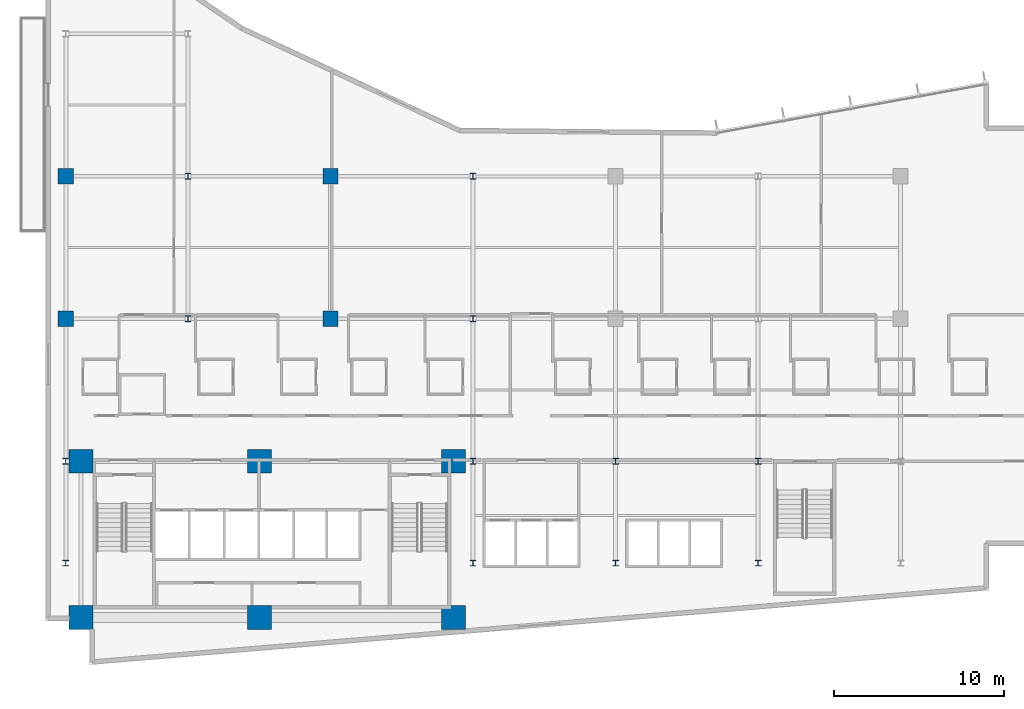
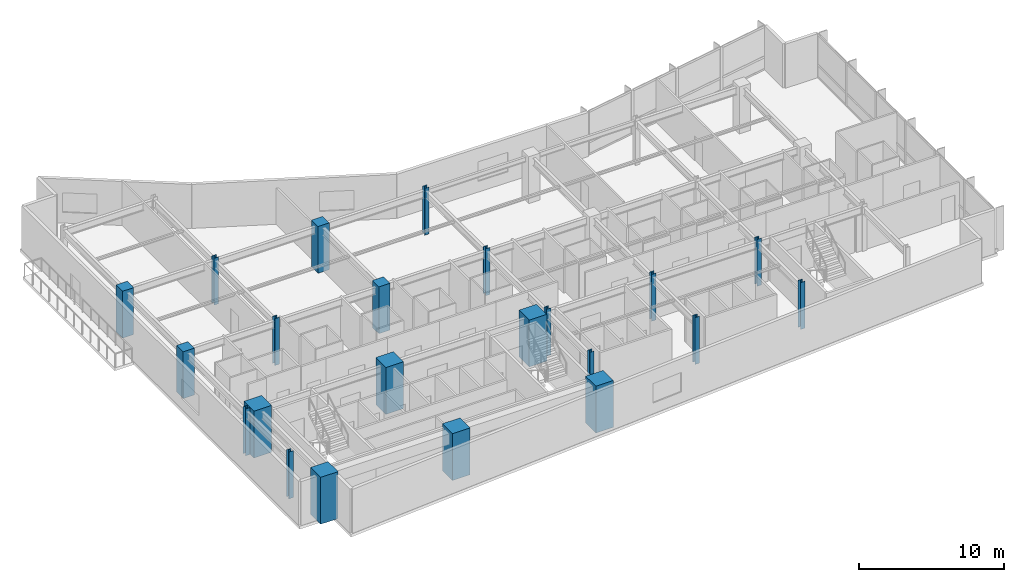
# One storey, part 1 of 21: 22 columns.
"""IFC4 building model written with IfcOpenShell, lengths in metres."""

from ifc_helpers import new_model, si_unit, direction, frame, origin, origin_2d, place, context, subcontext, project, spatial, rectangle, i_section, extrude, material, material_profile, profile_set, type_object, element, save


model = new_model("IFC4")

# Units and contexts
model_context = context("Model", 3, precision=1e-05, world=origin(), true_north=direction((0.0, 1.0)))
body_context = subcontext(model_context, "Body", "Model", "MODEL_VIEW")
ifc_project = project(units=[si_unit("LENGTHUNIT", "METRE"), si_unit("AREAUNIT", "SQUARE_METRE"), si_unit("VOLUMEUNIT", "CUBIC_METRE"), si_unit("PLANEANGLEUNIT", "RADIAN"), si_unit("MASSUNIT", "GRAM", prefix="KILO")], contexts=[model_context])

# Site, building, storey
site_placement = place(None, origin())
site = spatial("IfcSite", under=ifc_project, at=site_placement, CompositionType="ELEMENT")
building_placement = place(site_placement, origin())
building = spatial("IfcBuilding", under=site, at=building_placement, Name="Varnakote Quay Hospital", CompositionType="ELEMENT")
storey_placement = place(building_placement, frame((0.0, 0.0, 34.35009765625)))
storey = spatial("IfcBuildingStorey", under=building, at=storey_placement, Name="L08", CompositionType="ELEMENT", Elevation=34.35009765625)

# Columns
ifc_material_1 = material(Name="Concrete N80 (f'c 80 MPa)", Category="concrete")
ifc_material_profile_1 = material_profile(ifc_material_1, rectangle(XDim=1.39990234375, YDim=1.39990234375, at=origin_2d()), Name="RC-COL-1400x1400")
ifc_profile_set_1 = profile_set([ifc_material_profile_1], Name="Concrete N80 (f'c 80 MPa)")
column_type_1 = type_object("IfcColumnType", Name="COL-RC-1400", PredefinedType="COLUMN", material=ifc_profile_set_1)
for number, where, z_axis, x_axis, name in (
    (1, (2.10009765625, 2.800048828125, 0.0), (0.0, 0.0, 1.0), (1.0, 0.0, 0.0), "L08 Structural Column C-2-3"),
    (2, (12.6201171875, 2.800048828125, 0.0), (0.0, 0.0, 1.0), (1.0, 0.0, 0.0), "L08 Structural Column C-13-3"),
    (3, (24.050048828125, 2.800048828125, 0.0), (0.0, 0.0, 1.0), (1.0, 0.0, 0.0), "L08 Structural Column C-24-3"),
    (4, (2.10009765625, 12.0, 0.0), (0.0, 0.0, 1.0), (1.0, 0.0, 0.0), "L08 Structural Column C-2-12"),
    (5, (12.6201171875, 12.0, 0.0), (0.0, 0.0, 1.0), (1.0, 0.0, 0.0), "L08 Structural Column C-13-12"),
    (6, (24.050048828125, 12.0, 0.0), (0.0, 0.0, 1.0), (1.0, 0.0, 0.0), "L08 Structural Column C-24-12"),
):
    element("IfcColumn", number, at=place(storey_placement, frame(where, z_axis=z_axis, x_axis=x_axis)), inside=storey, type_object=column_type_1, Name=name, PredefinedType="COLUMN", context=body_context, shape_type="SweptSolid", body=[
        extrude(rectangle(XDim=1.39990234375, YDim=1.39990234375, at=origin_2d()), origin(), (0.0, 0.0, 1.0), 3.949951171875),
    ])
ifc_material_2 = material(Name="Concrete N50 (f'c 50 MPa)", Category="concrete")
ifc_material_profile_2 = material_profile(ifc_material_2, rectangle(XDim=0.89990234375, YDim=0.89990234375, at=origin_2d()), Name="RC-COL-900x900")
ifc_profile_set_2 = profile_set([ifc_material_profile_2], Name="Concrete N50 (f'c 50 MPa)")
column_type_2 = type_object("IfcColumnType", Name="COL-RC-900", PredefinedType="COLUMN", material=ifc_profile_set_2)
for number, where, z_axis, x_axis, name in (
    (7, (1.199951171875, 20.39990234375, 0.0), (0.0, 0.0, 1.0), (1.0, 0.0, 0.0), "L08 Structural Column C-1-20"),
    (8, (16.800048828125, 20.39990234375, 0.0), (0.0, 0.0, 1.0), (1.0, 0.0, 0.0), "L08 Structural Column C-17-20"),
    (9, (1.199951171875, 28.800048828125, 0.0), (0.0, 0.0, 1.0), (1.0, 0.0, 0.0), "L08 Structural Column C-1-29"),
    (10, (16.800048828125, 28.800048828125, 0.0), (0.0, 0.0, 1.0), (1.0, 0.0, 0.0), "L08 Structural Column C-17-29"),
):
    element("IfcColumn", number, at=place(storey_placement, frame(where, z_axis=z_axis, x_axis=x_axis)), inside=storey, type_object=column_type_2, Name=name, PredefinedType="COLUMN", context=body_context, shape_type="SweptSolid", body=[
        extrude(rectangle(XDim=0.89990234375, YDim=0.89990234375, at=origin_2d()), origin(), (0.0, 0.0, 1.0), 3.949951171875),
    ])
ifc_material_3 = material(Name="Structural steel AS/NZS 3678 Grade 350 (fy 340 MPa)", Category="steel")
ifc_material_profile_3 = material_profile(ifc_material_3, i_section(OverallWidth=0.35009765625, OverallDepth=0.340087890625, WebThickness=0.01611328125, FlangeThickness=0.028076171875, at=origin_2d()), Name="350WC197")
ifc_profile_set_3 = profile_set([ifc_material_profile_3], Name="Structural steel AS/NZS 3678 Grade 350 (fy 340 MPa)")
column_type_3 = type_object("IfcColumnType", Name="COL-STL-350WC197", PredefinedType="COLUMN", material=ifc_profile_set_3)
for number, where, z_axis, x_axis, name in (
    (11, (1.199951171875, 6.0, 0.0), (0.0, 0.0, 1.0), (1.0, 0.0, 0.0), "L08 Structural Column C-1-6"),
    (12, (25.199951171875, 6.0, 0.0), (0.0, 0.0, 1.0), (1.0, 0.0, 0.0), "L08 Structural Column C-25-6"),
    (13, (33.60009765625, 6.0, 0.0), (0.0, 0.0, 1.0), (1.0, 0.0, 0.0), "L08 Structural Column C-34-6"),
    (14, (42.0, 6.0, 0.0), (0.0, 0.0, 1.0), (1.0, 0.0, 0.0), "L08 Structural Column C-42-6"),
    (15, (1.199951171875, 12.0, 0.0), (0.0, 0.0, 1.0), (1.0, 0.0, 0.0), "L08 Structural Column C-1-12"),
    (16, (25.199951171875, 12.0, 0.0), (0.0, 0.0, 1.0), (1.0, 0.0, 0.0), "L08 Structural Column C-25-12"),
    (17, (33.60009765625, 12.0, 0.0), (0.0, 0.0, 1.0), (1.0, 0.0, 0.0), "L08 Structural Column C-34-12"),
    (18, (42.0, 12.0, 0.0), (0.0, 0.0, 1.0), (1.0, 0.0, 0.0), "L08 Structural Column C-42-12"),
    (19, (8.39990234375, 20.39990234375, 0.0), (0.0, 0.0, 1.0), (1.0, 0.0, 0.0), "L08 Structural Column C-8-20"),
    (20, (25.199951171875, 20.39990234375, 0.0), (0.0, 0.0, 1.0), (1.0, 0.0, 0.0), "L08 Structural Column C-25-20"),
    (21, (8.39990234375, 28.800048828125, 0.0), (0.0, 0.0, 1.0), (1.0, 0.0, 0.0), "L08 Structural Column C-8-29"),
    (22, (25.199951171875, 28.800048828125, 0.0), (0.0, 0.0, 1.0), (1.0, 0.0, 0.0), "L08 Structural Column C-25-29"),
):
    element("IfcColumn", number, at=place(storey_placement, frame(where, z_axis=z_axis, x_axis=x_axis)), inside=storey, type_object=column_type_3, Name=name, PredefinedType="COLUMN", context=body_context, shape_type="SweptSolid", body=[
        extrude(i_section(OverallWidth=0.35009765625, OverallDepth=0.340087890625, WebThickness=0.01611328125, FlangeThickness=0.028076171875, at=origin_2d()), origin(), (0.0, 0.0, 1.0), 3.949951171875),
    ])

save(model, "model.ifc")
